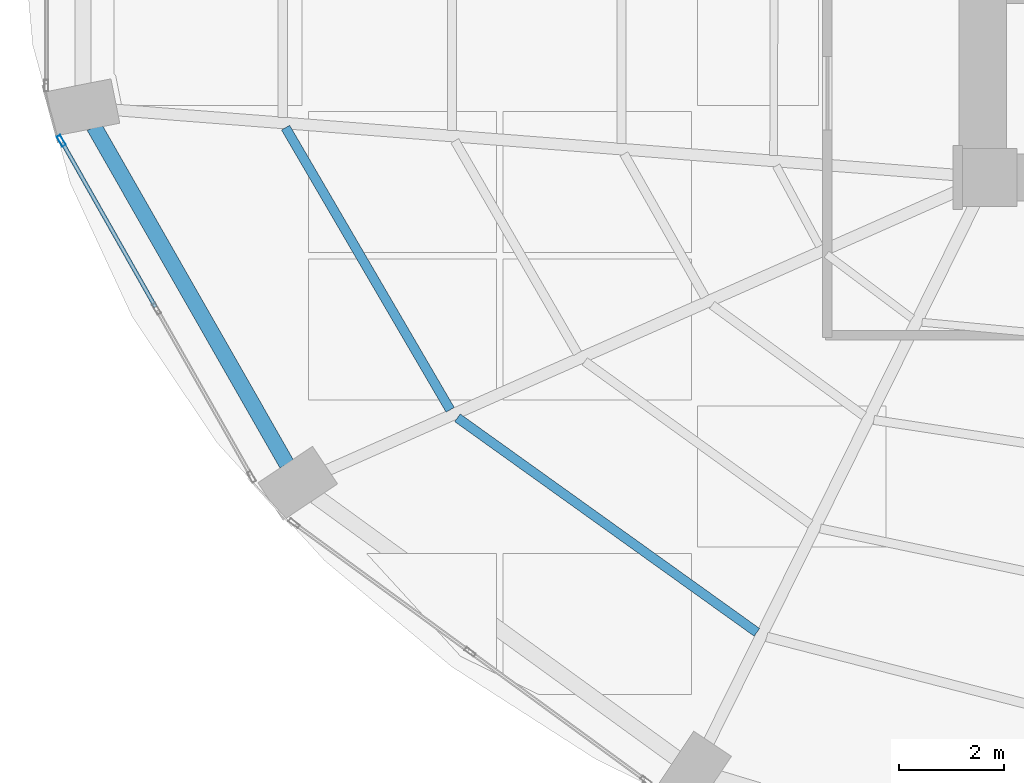
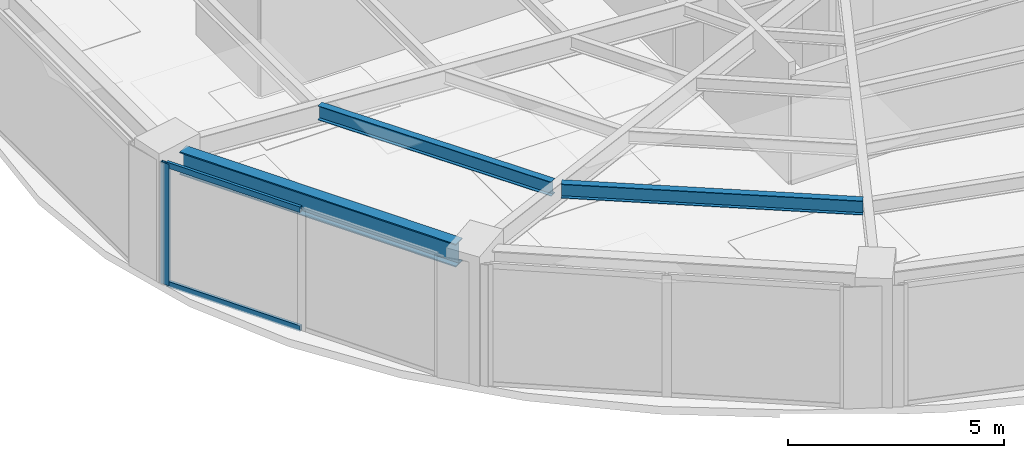
# One storey, part 3 of 25: 3 beams, 3 members, 1 element without a shape of its own.
"""IFC4 building model written with IfcOpenShell, lengths in metres."""

from ifc_helpers import new_model, si_unit, direction, frame, origin, origin_2d, place, context, subcontext, project, spatial, hollow_rectangle, i_section, extrude, material, layer, layer_set, material_profile, profile_set, type_object, element, aggregate, save


model = new_model("IFC4")

# Units and contexts
model_context = context("Model", 3, precision=1e-05, world=origin(), true_north=direction((0.0, 1.0)))
body_context = subcontext(model_context, "Body", "Model", "MODEL_VIEW")
ifc_project = project(units=[si_unit("LENGTHUNIT", "METRE"), si_unit("AREAUNIT", "SQUARE_METRE"), si_unit("VOLUMEUNIT", "CUBIC_METRE"), si_unit("PLANEANGLEUNIT", "RADIAN"), si_unit("MASSUNIT", "GRAM", prefix="KILO")], contexts=[model_context])

# Site, building, storey
site_placement = place(None, origin())
site = spatial("IfcSite", under=ifc_project, at=site_placement, CompositionType="ELEMENT")
building_placement = place(site_placement, origin())
building = spatial("IfcBuilding", under=site, at=building_placement, Name="Lazwardi Medical Tower", CompositionType="ELEMENT")
storey_placement = place(building_placement, frame((0.0, 0.0, 47.087890625)))
storey = spatial("IfcBuildingStorey", under=building, at=storey_placement, Name="L11", CompositionType="ELEMENT", Elevation=47.087890625)

# Beams
ifc_material_1 = material(Name="Steel S355", Category="steel")
ifc_material_profile_1 = material_profile(ifc_material_1, i_section(OverallWidth=0.300048828125, OverallDepth=0.64990234375, WebThickness=0.01611328125, FlangeThickness=0.031005859375, at=origin_2d()), Name="HEB 650")
ifc_profile_set_1 = profile_set([ifc_material_profile_1], Name="Steel S355")
beam_type_1 = type_object("IfcBeamType", Name="BM-RB-Z1", PredefinedType="BEAM", material=ifc_profile_set_1)
beam_1_placement = place(storey_placement, frame((9.408203125, 21.36767578125, 3.10302734375), z_axis=(0.49581512241, -0.868428099724, 0.0), x_axis=(0.868428099724, 0.49581512241, 0.0)))
element("IfcBeam", 1, at=beam_1_placement, inside=storey, type_object=beam_type_1, Name="Ring beam RB-02 B13 L11", PredefinedType="BEAM", context=body_context, shape_type="SweptSolid", body=[
    extrude(i_section(OverallWidth=0.300048828125, OverallDepth=0.64990234375, WebThickness=0.01611328125, FlangeThickness=0.031005859375, at=origin_2d()), origin(), (0.0, 0.0, 1.0), 7.389404296875),
])
ifc_material_profile_2 = material_profile(ifc_material_1, i_section(OverallWidth=0.179931640625, OverallDepth=0.39990234375, WebThickness=0.008544921875, FlangeThickness=0.013427734375, at=origin_2d()), Name="IPE 400")
ifc_profile_set_2 = profile_set([ifc_material_profile_2], Name="Steel S355")
beam_type_2 = type_object("IfcBeamType", Name="BM-SJ-01", PredefinedType="JOIST", material=ifc_profile_set_2)
beam_2_placement = place(storey_placement, frame((13.048828125, 21.34765625, 3.22802734375), z_axis=(0.503846579557, -0.863793160582, 0.0), x_axis=(0.863793160582, 0.503846579557, 0.0)))
element("IfcBeam", 2, at=beam_2_placement, inside=storey, type_object=beam_type_2, Name="Secondary joist SJ-01 R1 B13 L11", PredefinedType="JOIST", context=body_context, shape_type="SweptSolid", body=[
    extrude(i_section(OverallWidth=0.179931640625, OverallDepth=0.39990234375, WebThickness=0.008544921875, FlangeThickness=0.013427734375, at=origin_2d()), origin(), (0.0, 0.0, 1.0), 6.20947265625),
])
beam_3_placement = place(storey_placement, frame((16.31591796875, 15.83203125, 3.22802734375), z_axis=(0.812901036873, -0.582401840872, 0.0), x_axis=(0.582401840872, 0.812901036873, 0.0)))
element("IfcBeam", 3, at=beam_3_placement, inside=storey, type_object=beam_type_2, Name="Secondary joist SJ-01 R1 B14 L11", PredefinedType="JOIST", context=body_context, shape_type="SweptSolid", body=[
    extrude(i_section(OverallWidth=0.179931640625, OverallDepth=0.39990234375, WebThickness=0.008544921875, FlangeThickness=0.013427734375, at=origin_2d()), origin(), (0.0, 0.0, 1.0), 7.002197265625),
])

# Curtain wall, members
ifc_material_2 = material(Name="Anodised bronze aluminium and solar control glazing", Category="aluminium")
ifc_layer = layer(ifc_material_2, 0.199951171875)
ifc_layer_set = layer_set([ifc_layer], Name="Anodised bronze aluminium and solar control glazing")
curtain_wall_type = type_object("IfcCurtainWallType", Name="CW-SYS-02", PredefinedType="NOTDEFINED", material=ifc_layer_set)
curtain_wall_placement = place(storey_placement, origin())
curtain_wall = element("IfcCurtainWall", 4, at=curtain_wall_placement, inside=storey, type_object=curtain_wall_type, Name="L11 Unitised bronze curtain wall CW-02", PredefinedType="NOTDEFINED")
ifc_material_3 = material(Name="Anodised bronze aluminium", Category="aluminium")
ifc_material_profile_3 = material_profile(ifc_material_3, hollow_rectangle(XDim=0.074951171875, YDim=0.219970703125, WallThickness=0.00390625, at=origin_2d()), Name="ALU-MULLION 220x75x4")
ifc_profile_set_3 = profile_set([ifc_material_profile_3], Name="Anodised bronze aluminium")
member_type_1 = type_object("IfcMemberType", Name="CW-MUL-01", PredefinedType="MULLION", material=ifc_profile_set_3)
member_1_placement = place(storey_placement, frame((8.785888671875, 21.09765625, 0.0), z_axis=(0.0, 0.0, 1.0), x_axis=(0.870111838823, 0.492854327303, 0.0)))
member_1 = element("IfcMember", 5, at=member_1_placement, type_object=member_type_1, Name="CW-02 mullion 1", PredefinedType="MULLION", context=body_context, shape_type="SweptSolid", body=[
    extrude(hollow_rectangle(XDim=0.074951171875, YDim=0.219970703125, WallThickness=0.00390625, at=origin_2d()), origin(), (0.0, 0.0, 1.0), 3.42822265625),
])
ifc_material_profile_4 = material_profile(ifc_material_3, hollow_rectangle(XDim=0.074951171875, YDim=0.159912109375, WallThickness=0.00390625, at=origin_2d()), Name="ALU-TRANSOM 160x75x4")
ifc_profile_set_4 = profile_set([ifc_material_profile_4], Name="Anodised bronze aluminium")
member_type_2 = type_object("IfcMemberType", Name="CW-TRN-01", PredefinedType="USERDEFINED", material=ifc_profile_set_4)
member_2_placement = place(storey_placement, frame((8.804443359375, 21.06494140625, 0.03759765625), z_axis=(0.492880614687, -0.870096948429, 0.0), x_axis=(0.870096948429, 0.492880614687, 0.0)))
member_2 = element("IfcMember", 6, at=member_2_placement, type_object=member_type_2, Name="CW-02 transom 1.1", ObjectType="TRANSOM", PredefinedType="USERDEFINED", context=body_context, shape_type="SweptSolid", body=[
    extrude(hollow_rectangle(XDim=0.074951171875, YDim=0.159912109375, WallThickness=0.00390625, at=origin_2d()), origin(), (0.0, 0.0, 1.0), 3.5947265625),
])
member_3_placement = place(storey_placement, frame((8.804443359375, 21.06494140625, 3.390625), z_axis=(0.492880614687, -0.870096948429, 0.0), x_axis=(0.870096948429, 0.492880614687, 0.0)))
member_3 = element("IfcMember", 7, at=member_3_placement, type_object=member_type_2, Name="CW-02 transom 1.2", ObjectType="TRANSOM", PredefinedType="USERDEFINED", context=body_context, shape_type="SweptSolid", body=[
    extrude(hollow_rectangle(XDim=0.074951171875, YDim=0.159912109375, WallThickness=0.00390625, at=origin_2d()), origin(), (0.0, 0.0, 1.0), 3.5947265625),
])
aggregate(curtain_wall, [member_1, member_2, member_3])

save(model, "model.ifc")
